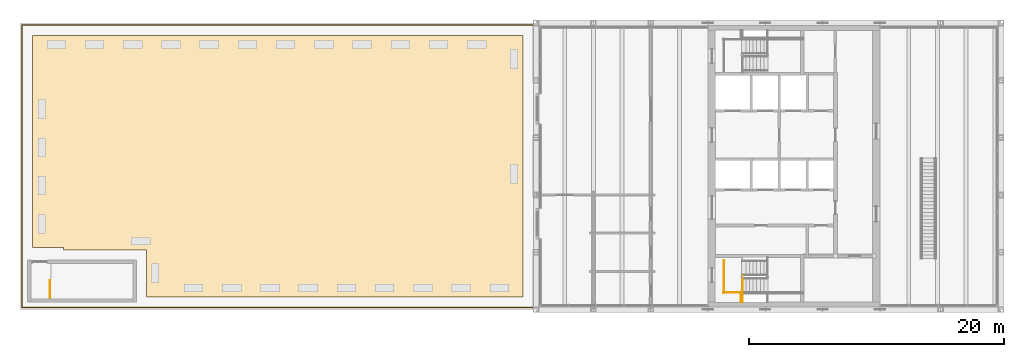
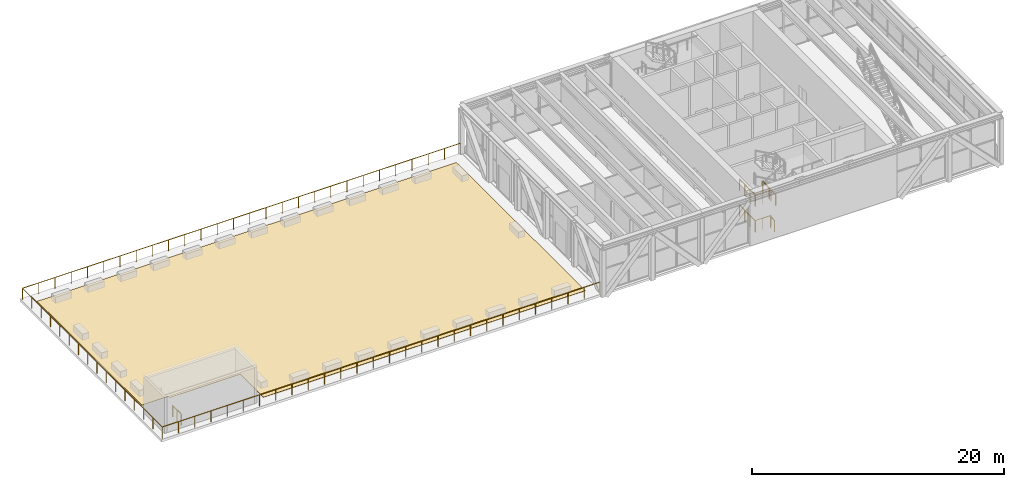
# One storey, part 10 of 13: 8 railings, 1 covering.
"""IFC4 building model written with IfcOpenShell, lengths in metres."""

from ifc_helpers import new_model, si_unit, direction, frame, origin, origin_2d, place, context, subcontext, project, spatial, polyline, rectangle, outline, extrude, material, layer, layer_set, type_object, element, save


model = new_model("IFC4")

# Units and contexts
model_context = context("Model", 3, precision=1e-05, world=origin(), true_north=direction((0.0, 1.0)))
body_context = subcontext(model_context, "Body", "Model", "MODEL_VIEW")
ifc_project = project(units=[si_unit("LENGTHUNIT", "METRE"), si_unit("AREAUNIT", "SQUARE_METRE"), si_unit("VOLUMEUNIT", "CUBIC_METRE"), si_unit("PLANEANGLEUNIT", "RADIAN"), si_unit("MASSUNIT", "GRAM", prefix="KILO")], contexts=[model_context])

# Site, building, storey
site_placement = place(None, origin())
site = spatial("IfcSite", under=ifc_project, at=site_placement, CompositionType="ELEMENT")
building_placement = place(site_placement, origin())
building = spatial("IfcBuilding", under=site, at=building_placement, Name="Sennacour Bend Tower", CompositionType="ELEMENT")
storey_placement = place(building_placement, frame((0.0, 0.0, 345.5)))
storey = spatial("IfcBuildingStorey", under=building, at=storey_placement, Name="L79", CompositionType="ELEMENT", Elevation=345.5)

# Covering
ifc_material_1 = material(Name="Limestone paving", Category="masonry")
ifc_layer = layer(ifc_material_1, 0.030029296875, Name="Limestone paving", Category="masonry")
ifc_layer_set = layer_set([ifc_layer], Name="Limestone paving")
covering_type = type_object("IfcCoveringType", Name="COV-PAVING-30", PredefinedType="FLOORING", material=ifc_layer_set)
covering_placement = place(storey_placement, origin())
element("IfcCovering", 1, at=covering_placement, inside=storey, type_object=covering_type, Name="Paving Exec Roof", PredefinedType="FLOORING", context=body_context, shape_type="SweptSolid", body=[
    extrude(outline(polyline([(1.0, 4.875), (1.0, 21.5), (39.469970703125, 21.5), (39.469970703125, 1.0), (9.925048828125, 1.0), (9.925048828125, 4.675048828125), (3.429931640625, 4.675048828125), (3.429931640625, 4.875), (1.0, 4.875)])), origin(), (0.0, 0.0, 1.0), 0.030029296875),
])

# Railings
ifc_material_2 = material(Name="Stainless steel 316", Category="steel")
railing_type_1 = type_object("IfcRailingType", Name="GUARD 1100", PredefinedType="GUARDRAIL", material=ifc_material_2)
railing_1_placement = place(storey_placement, frame((40.35009765625, 0.14990234375, 0.0)))
element("IfcRailing", 2, at=railing_1_placement, inside=storey, type_object=railing_type_1, Name="Guard Exec Roof", PredefinedType="GUARDRAIL", context=body_context, shape_type="SweptSolid", body=[
    extrude(rectangle(XDim=0.048095703125, YDim=0.048095703125, at=origin_2d()), frame((0.0, 0.0, 1.076171875), z_axis=(-1.0, 0.0, 0.0), x_axis=(0.0, -1.0, 0.0)), (0.0, 0.0, 1.0), 40.2001953125),
    extrude(rectangle(XDim=0.048095703125, YDim=0.048095703125, at=origin_2d()), frame((-40.2001953125, 0.0, 1.076171875), z_axis=(0.0, 1.0, 0.0), x_axis=(-1.0, 0.0, 0.0)), (0.0, 0.0, 1.0), 22.2001953125),
    extrude(rectangle(XDim=0.048095703125, YDim=0.048095703125, at=origin_2d()), frame((-40.2001953125, 22.2001953125, 1.076171875), z_axis=(1.0, 0.0, 0.0), x_axis=(0.0, 1.0, 0.0)), (0.0, 0.0, 1.0), 40.2001953125),
    extrude(rectangle(XDim=0.0419921875, YDim=0.0419921875, at=origin_2d()), origin(), (0.0, 0.0, 1.0), 1.052001953125),
    extrude(rectangle(XDim=0.0419921875, YDim=0.0419921875, at=origin_2d()), frame((-1.489013671875, 0.0, 0.0)), (0.0, 0.0, 1.0), 1.052001953125),
    extrude(rectangle(XDim=0.0419921875, YDim=0.0419921875, at=origin_2d()), frame((-2.977783203125, 0.0, 0.0)), (0.0, 0.0, 1.0), 1.052001953125),
    extrude(rectangle(XDim=0.0419921875, YDim=0.0419921875, at=origin_2d()), frame((-4.466796875, 0.0, 0.0)), (0.0, 0.0, 1.0), 1.052001953125),
    extrude(rectangle(XDim=0.0419921875, YDim=0.0419921875, at=origin_2d()), frame((-5.95556640625, 0.0, 0.0)), (0.0, 0.0, 1.0), 1.052001953125),
    extrude(rectangle(XDim=0.0419921875, YDim=0.0419921875, at=origin_2d()), frame((-7.444580078125, 0.0, 0.0)), (0.0, 0.0, 1.0), 1.052001953125),
    extrude(rectangle(XDim=0.0419921875, YDim=0.0419921875, at=origin_2d()), frame((-8.933349609375, 0.0, 0.0)), (0.0, 0.0, 1.0), 1.052001953125),
    extrude(rectangle(XDim=0.0419921875, YDim=0.0419921875, at=origin_2d()), frame((-10.42236328125, 0.0, 0.0)), (0.0, 0.0, 1.0), 1.052001953125),
    extrude(rectangle(XDim=0.0419921875, YDim=0.0419921875, at=origin_2d()), frame((-11.9111328125, 0.0, 0.0)), (0.0, 0.0, 1.0), 1.052001953125),
    extrude(rectangle(XDim=0.0419921875, YDim=0.0419921875, at=origin_2d()), frame((-13.400146484375, 0.0, 0.0)), (0.0, 0.0, 1.0), 1.052001953125),
    extrude(rectangle(XDim=0.0419921875, YDim=0.0419921875, at=origin_2d()), frame((-14.888916015625, 0.0, 0.0)), (0.0, 0.0, 1.0), 1.052001953125),
    extrude(rectangle(XDim=0.0419921875, YDim=0.0419921875, at=origin_2d()), frame((-16.3779296875, 0.0, 0.0)), (0.0, 0.0, 1.0), 1.052001953125),
    extrude(rectangle(XDim=0.0419921875, YDim=0.0419921875, at=origin_2d()), frame((-17.86669921875, 0.0, 0.0)), (0.0, 0.0, 1.0), 1.052001953125),
    extrude(rectangle(XDim=0.0419921875, YDim=0.0419921875, at=origin_2d()), frame((-19.355712890625, 0.0, 0.0)), (0.0, 0.0, 1.0), 1.052001953125),
    extrude(rectangle(XDim=0.0419921875, YDim=0.0419921875, at=origin_2d()), frame((-20.844482421875, 0.0, 0.0)), (0.0, 0.0, 1.0), 1.052001953125),
    extrude(rectangle(XDim=0.0419921875, YDim=0.0419921875, at=origin_2d()), frame((-22.33349609375, 0.0, 0.0)), (0.0, 0.0, 1.0), 1.052001953125),
    extrude(rectangle(XDim=0.0419921875, YDim=0.0419921875, at=origin_2d()), frame((-23.822265625, 0.0, 0.0)), (0.0, 0.0, 1.0), 1.052001953125),
    extrude(rectangle(XDim=0.0419921875, YDim=0.0419921875, at=origin_2d()), frame((-25.311279296875, 0.0, 0.0)), (0.0, 0.0, 1.0), 1.052001953125),
    extrude(rectangle(XDim=0.0419921875, YDim=0.0419921875, at=origin_2d()), frame((-26.800048828125, 0.0, 0.0)), (0.0, 0.0, 1.0), 1.052001953125),
    extrude(rectangle(XDim=0.0419921875, YDim=0.0419921875, at=origin_2d()), frame((-28.2890625, 0.0, 0.0)), (0.0, 0.0, 1.0), 1.052001953125),
    extrude(rectangle(XDim=0.0419921875, YDim=0.0419921875, at=origin_2d()), frame((-29.77783203125, 0.0, 0.0)), (0.0, 0.0, 1.0), 1.052001953125),
    extrude(rectangle(XDim=0.0419921875, YDim=0.0419921875, at=origin_2d()), frame((-31.266845703125, 0.0, 0.0)), (0.0, 0.0, 1.0), 1.052001953125),
    extrude(rectangle(XDim=0.0419921875, YDim=0.0419921875, at=origin_2d()), frame((-32.755615234375, 0.0, 0.0)), (0.0, 0.0, 1.0), 1.052001953125),
    extrude(rectangle(XDim=0.0419921875, YDim=0.0419921875, at=origin_2d()), frame((-34.24462890625, 0.0, 0.0)), (0.0, 0.0, 1.0), 1.052001953125),
    extrude(rectangle(XDim=0.0419921875, YDim=0.0419921875, at=origin_2d()), frame((-35.7333984375, 0.0, 0.0)), (0.0, 0.0, 1.0), 1.052001953125),
    extrude(rectangle(XDim=0.0419921875, YDim=0.0419921875, at=origin_2d()), frame((-37.222412109375, 0.0, 0.0)), (0.0, 0.0, 1.0), 1.052001953125),
    extrude(rectangle(XDim=0.0419921875, YDim=0.0419921875, at=origin_2d()), frame((-38.711181640625, 0.0, 0.0)), (0.0, 0.0, 1.0), 1.052001953125),
    extrude(rectangle(XDim=0.0419921875, YDim=0.0419921875, at=origin_2d()), frame((-40.2001953125, 0.0, 0.0)), (0.0, 0.0, 1.0), 1.052001953125),
    extrude(rectangle(XDim=0.0419921875, YDim=0.0419921875, at=origin_2d()), frame((-40.2001953125, 1.47998046875, 0.0)), (0.0, 0.0, 1.0), 1.052001953125),
    extrude(rectangle(XDim=0.0419921875, YDim=0.0419921875, at=origin_2d()), frame((-40.2001953125, 2.9599609375, 0.0)), (0.0, 0.0, 1.0), 1.052001953125),
    extrude(rectangle(XDim=0.0419921875, YDim=0.0419921875, at=origin_2d()), frame((-40.2001953125, 4.43994140625, 0.0)), (0.0, 0.0, 1.0), 1.052001953125),
    extrude(rectangle(XDim=0.0419921875, YDim=0.0419921875, at=origin_2d()), frame((-40.2001953125, 5.920166015625, 0.0)), (0.0, 0.0, 1.0), 1.052001953125),
    extrude(rectangle(XDim=0.0419921875, YDim=0.0419921875, at=origin_2d()), frame((-40.2001953125, 7.400146484375, 0.0)), (0.0, 0.0, 1.0), 1.052001953125),
    extrude(rectangle(XDim=0.0419921875, YDim=0.0419921875, at=origin_2d()), frame((-40.2001953125, 8.880126953125, 0.0)), (0.0, 0.0, 1.0), 1.052001953125),
    extrude(rectangle(XDim=0.0419921875, YDim=0.0419921875, at=origin_2d()), frame((-40.2001953125, 10.360107421875, 0.0)), (0.0, 0.0, 1.0), 1.052001953125),
    extrude(rectangle(XDim=0.0419921875, YDim=0.0419921875, at=origin_2d()), frame((-40.2001953125, 11.840087890625, 0.0)), (0.0, 0.0, 1.0), 1.052001953125),
    extrude(rectangle(XDim=0.0419921875, YDim=0.0419921875, at=origin_2d()), frame((-40.2001953125, 13.320068359375, 0.0)), (0.0, 0.0, 1.0), 1.052001953125),
    extrude(rectangle(XDim=0.0419921875, YDim=0.0419921875, at=origin_2d()), frame((-40.2001953125, 14.800048828125, 0.0)), (0.0, 0.0, 1.0), 1.052001953125),
    extrude(rectangle(XDim=0.0419921875, YDim=0.0419921875, at=origin_2d()), frame((-40.2001953125, 16.280029296875, 0.0)), (0.0, 0.0, 1.0), 1.052001953125),
    extrude(rectangle(XDim=0.0419921875, YDim=0.0419921875, at=origin_2d()), frame((-40.2001953125, 17.76025390625, 0.0)), (0.0, 0.0, 1.0), 1.052001953125),
    extrude(rectangle(XDim=0.0419921875, YDim=0.0419921875, at=origin_2d()), frame((-40.2001953125, 19.240234375, 0.0)), (0.0, 0.0, 1.0), 1.052001953125),
    extrude(rectangle(XDim=0.0419921875, YDim=0.0419921875, at=origin_2d()), frame((-40.2001953125, 20.72021484375, 0.0)), (0.0, 0.0, 1.0), 1.052001953125),
    extrude(rectangle(XDim=0.0419921875, YDim=0.0419921875, at=origin_2d()), frame((-40.2001953125, 22.2001953125, 0.0)), (0.0, 0.0, 1.0), 1.052001953125),
    extrude(rectangle(XDim=0.0419921875, YDim=0.0419921875, at=origin_2d()), frame((-38.711181640625, 22.2001953125, 0.0)), (0.0, 0.0, 1.0), 1.052001953125),
    extrude(rectangle(XDim=0.0419921875, YDim=0.0419921875, at=origin_2d()), frame((-37.222412109375, 22.2001953125, 0.0)), (0.0, 0.0, 1.0), 1.052001953125),
    extrude(rectangle(XDim=0.0419921875, YDim=0.0419921875, at=origin_2d()), frame((-35.7333984375, 22.2001953125, 0.0)), (0.0, 0.0, 1.0), 1.052001953125),
    extrude(rectangle(XDim=0.0419921875, YDim=0.0419921875, at=origin_2d()), frame((-34.24462890625, 22.2001953125, 0.0)), (0.0, 0.0, 1.0), 1.052001953125),
    extrude(rectangle(XDim=0.0419921875, YDim=0.0419921875, at=origin_2d()), frame((-32.755615234375, 22.2001953125, 0.0)), (0.0, 0.0, 1.0), 1.052001953125),
    extrude(rectangle(XDim=0.0419921875, YDim=0.0419921875, at=origin_2d()), frame((-31.266845703125, 22.2001953125, 0.0)), (0.0, 0.0, 1.0), 1.052001953125),
    extrude(rectangle(XDim=0.0419921875, YDim=0.0419921875, at=origin_2d()), frame((-29.77783203125, 22.2001953125, 0.0)), (0.0, 0.0, 1.0), 1.052001953125),
    extrude(rectangle(XDim=0.0419921875, YDim=0.0419921875, at=origin_2d()), frame((-28.2890625, 22.2001953125, 0.0)), (0.0, 0.0, 1.0), 1.052001953125),
    extrude(rectangle(XDim=0.0419921875, YDim=0.0419921875, at=origin_2d()), frame((-26.800048828125, 22.2001953125, 0.0)), (0.0, 0.0, 1.0), 1.052001953125),
    extrude(rectangle(XDim=0.0419921875, YDim=0.0419921875, at=origin_2d()), frame((-25.311279296875, 22.2001953125, 0.0)), (0.0, 0.0, 1.0), 1.052001953125),
    extrude(rectangle(XDim=0.0419921875, YDim=0.0419921875, at=origin_2d()), frame((-23.822265625, 22.2001953125, 0.0)), (0.0, 0.0, 1.0), 1.052001953125),
    extrude(rectangle(XDim=0.0419921875, YDim=0.0419921875, at=origin_2d()), frame((-22.33349609375, 22.2001953125, 0.0)), (0.0, 0.0, 1.0), 1.052001953125),
    extrude(rectangle(XDim=0.0419921875, YDim=0.0419921875, at=origin_2d()), frame((-20.844482421875, 22.2001953125, 0.0)), (0.0, 0.0, 1.0), 1.052001953125),
    extrude(rectangle(XDim=0.0419921875, YDim=0.0419921875, at=origin_2d()), frame((-19.355712890625, 22.2001953125, 0.0)), (0.0, 0.0, 1.0), 1.052001953125),
    extrude(rectangle(XDim=0.0419921875, YDim=0.0419921875, at=origin_2d()), frame((-17.86669921875, 22.2001953125, 0.0)), (0.0, 0.0, 1.0), 1.052001953125),
    extrude(rectangle(XDim=0.0419921875, YDim=0.0419921875, at=origin_2d()), frame((-16.3779296875, 22.2001953125, 0.0)), (0.0, 0.0, 1.0), 1.052001953125),
    extrude(rectangle(XDim=0.0419921875, YDim=0.0419921875, at=origin_2d()), frame((-14.888916015625, 22.2001953125, 0.0)), (0.0, 0.0, 1.0), 1.052001953125),
    extrude(rectangle(XDim=0.0419921875, YDim=0.0419921875, at=origin_2d()), frame((-13.400146484375, 22.2001953125, 0.0)), (0.0, 0.0, 1.0), 1.052001953125),
    extrude(rectangle(XDim=0.0419921875, YDim=0.0419921875, at=origin_2d()), frame((-11.9111328125, 22.2001953125, 0.0)), (0.0, 0.0, 1.0), 1.052001953125),
    extrude(rectangle(XDim=0.0419921875, YDim=0.0419921875, at=origin_2d()), frame((-10.42236328125, 22.2001953125, 0.0)), (0.0, 0.0, 1.0), 1.052001953125),
    extrude(rectangle(XDim=0.0419921875, YDim=0.0419921875, at=origin_2d()), frame((-8.933349609375, 22.2001953125, 0.0)), (0.0, 0.0, 1.0), 1.052001953125),
    extrude(rectangle(XDim=0.0419921875, YDim=0.0419921875, at=origin_2d()), frame((-7.444580078125, 22.2001953125, 0.0)), (0.0, 0.0, 1.0), 1.052001953125),
    extrude(rectangle(XDim=0.0419921875, YDim=0.0419921875, at=origin_2d()), frame((-5.95556640625, 22.2001953125, 0.0)), (0.0, 0.0, 1.0), 1.052001953125),
    extrude(rectangle(XDim=0.0419921875, YDim=0.0419921875, at=origin_2d()), frame((-4.466796875, 22.2001953125, 0.0)), (0.0, 0.0, 1.0), 1.052001953125),
    extrude(rectangle(XDim=0.0419921875, YDim=0.0419921875, at=origin_2d()), frame((-2.977783203125, 22.2001953125, 0.0)), (0.0, 0.0, 1.0), 1.052001953125),
    extrude(rectangle(XDim=0.0419921875, YDim=0.0419921875, at=origin_2d()), frame((-1.489013671875, 22.2001953125, 0.0)), (0.0, 0.0, 1.0), 1.052001953125),
    extrude(rectangle(XDim=0.0419921875, YDim=0.0419921875, at=origin_2d()), frame((0.0, 22.2001953125, 0.0)), (0.0, 0.0, 1.0), 1.052001953125),
])
ifc_material_3 = material(Name="Stainless steel", Category="steel")
railing_type_2 = type_object("IfcRailingType", Name="RL-GUARD-1100", PredefinedType="GUARDRAIL", material=ifc_material_3)
railing_2_placement = place(storey_placement, frame((55.199951171875, 1.35009765625, 2.5)))
element("IfcRailing", 3, at=railing_2_placement, inside=storey, type_object=railing_type_2, Name="L79 SA1 stair guard 6", PredefinedType="GUARDRAIL", context=body_context, shape_type="SweptSolid", body=[
    extrude(rectangle(XDim=0.048095703125, YDim=0.048095703125, at=origin_2d()), frame((0.0, 0.0, 1.076171875), z_axis=(1.0, 0.0, 0.0), x_axis=(0.0, 1.0, 0.0)), (0.0, 0.0, 1.0), 1.5),
    extrude(rectangle(XDim=0.0419921875, YDim=0.0419921875, at=origin_2d()), origin(), (0.0, 0.0, 1.0), 1.052001953125),
    extrude(rectangle(XDim=0.0419921875, YDim=0.0419921875, at=origin_2d()), frame((0.75, 0.0, 0.0)), (0.0, 0.0, 1.0), 1.052001953125),
    extrude(rectangle(XDim=0.0419921875, YDim=0.0419921875, at=origin_2d()), frame((1.5, 0.0, 0.0)), (0.0, 0.0, 1.0), 1.052001953125),
])
railing_3_placement = place(storey_placement, frame((55.25, 1.300048828125, 2.5)))
element("IfcRailing", 4, at=railing_3_placement, inside=storey, type_object=railing_type_2, Name="L79 SA1 stair guard 7", PredefinedType="GUARDRAIL", context=body_context, shape_type="SweptSolid", body=[
    extrude(rectangle(XDim=0.048095703125, YDim=0.048095703125, at=origin_2d()), frame((0.0, 0.0, 1.076171875), z_axis=(0.0, 1.0, 0.0), x_axis=(-1.0, 0.0, 0.0)), (0.0, 0.0, 1.0), 2.550048828125),
    extrude(rectangle(XDim=0.0419921875, YDim=0.0419921875, at=origin_2d()), origin(), (0.0, 0.0, 1.0), 1.052001953125),
    extrude(rectangle(XDim=0.0419921875, YDim=0.0419921875, at=origin_2d()), frame((0.0, 0.85009765625, 0.0)), (0.0, 0.0, 1.0), 1.052001953125),
    extrude(rectangle(XDim=0.0419921875, YDim=0.0419921875, at=origin_2d()), frame((0.0, 1.699951171875, 0.0)), (0.0, 0.0, 1.0), 1.052001953125),
    extrude(rectangle(XDim=0.0419921875, YDim=0.0419921875, at=origin_2d()), frame((0.0, 2.550048828125, 0.0)), (0.0, 0.0, 1.0), 1.052001953125),
])
railing_4_placement = place(storey_placement, frame((55.199951171875, 1.35009765625, 0.0)))
element("IfcRailing", 5, at=railing_4_placement, inside=storey, type_object=railing_type_2, Name="L79 SA1 stair guard 13", PredefinedType="GUARDRAIL", context=body_context, shape_type="SweptSolid", body=[
    extrude(rectangle(XDim=0.048095703125, YDim=0.048095703125, at=origin_2d()), frame((0.0, 0.0, 1.076171875), z_axis=(1.0, 0.0, 0.0), x_axis=(0.0, 1.0, 0.0)), (0.0, 0.0, 1.0), 1.5),
    extrude(rectangle(XDim=0.0419921875, YDim=0.0419921875, at=origin_2d()), origin(), (0.0, 0.0, 1.0), 1.052001953125),
    extrude(rectangle(XDim=0.0419921875, YDim=0.0419921875, at=origin_2d()), frame((0.75, 0.0, 0.0)), (0.0, 0.0, 1.0), 1.052001953125),
    extrude(rectangle(XDim=0.0419921875, YDim=0.0419921875, at=origin_2d()), frame((1.5, 0.0, 0.0)), (0.0, 0.0, 1.0), 1.052001953125),
])
railing_5_placement = place(storey_placement, frame((55.25, 1.300048828125, 0.0)))
element("IfcRailing", 6, at=railing_5_placement, inside=storey, type_object=railing_type_2, Name="L79 SA1 stair guard 14", PredefinedType="GUARDRAIL", context=body_context, shape_type="SweptSolid", body=[
    extrude(rectangle(XDim=0.048095703125, YDim=0.048095703125, at=origin_2d()), frame((0.0, 0.0, 1.076171875), z_axis=(0.0, 1.0, 0.0), x_axis=(-1.0, 0.0, 0.0)), (0.0, 0.0, 1.0), 2.550048828125),
    extrude(rectangle(XDim=0.0419921875, YDim=0.0419921875, at=origin_2d()), origin(), (0.0, 0.0, 1.0), 1.052001953125),
    extrude(rectangle(XDim=0.0419921875, YDim=0.0419921875, at=origin_2d()), frame((0.0, 0.85009765625, 0.0)), (0.0, 0.0, 1.0), 1.052001953125),
    extrude(rectangle(XDim=0.0419921875, YDim=0.0419921875, at=origin_2d()), frame((0.0, 1.699951171875, 0.0)), (0.0, 0.0, 1.0), 1.052001953125),
    extrude(rectangle(XDim=0.0419921875, YDim=0.0419921875, at=origin_2d()), frame((0.0, 2.550048828125, 0.0)), (0.0, 0.0, 1.0), 1.052001953125),
])
railing_6_placement = place(storey_placement, frame((56.699951171875, 2.64990234375, 2.5)))
element("IfcRailing", 7, at=railing_6_placement, inside=storey, type_object=railing_type_2, Name="L79 SA1 landing edge guard 134", PredefinedType="GUARDRAIL", context=body_context, shape_type="SweptSolid", body=[
    extrude(rectangle(XDim=0.048095703125, YDim=0.048095703125, at=origin_2d()), frame((0.0, 0.0, 1.076171875), z_axis=(0.0, -1.0, 0.0), x_axis=(1.0, 0.0, 0.0)), (0.0, 0.0, 1.0), 2.0498046875),
    extrude(rectangle(XDim=0.0419921875, YDim=0.0419921875, at=origin_2d()), origin(), (0.0, 0.0, 1.0), 1.052001953125),
    extrude(rectangle(XDim=0.0419921875, YDim=0.0419921875, at=origin_2d()), frame((0.0, -1.02490234375, 0.0)), (0.0, 0.0, 1.0), 1.052001953125),
    extrude(rectangle(XDim=0.0419921875, YDim=0.0419921875, at=origin_2d()), frame((0.0, -2.0498046875, 0.0)), (0.0, 0.0, 1.0), 1.052001953125),
])
railing_7_placement = place(storey_placement, frame((56.60009765625, 1.25, 0.0)))
element("IfcRailing", 8, at=railing_7_placement, inside=storey, type_object=railing_type_2, Name="L79 SA1 landing edge guard 166", PredefinedType="GUARDRAIL", context=body_context, shape_type="SweptSolid", body=[
    extrude(rectangle(XDim=0.048095703125, YDim=0.048095703125, at=origin_2d()), frame((0.0, 0.0, 1.076171875), z_axis=(0.0, -1.0, 0.0), x_axis=(1.0, 0.0, 0.0)), (0.0, 0.0, 1.0), 0.64990234375),
    extrude(rectangle(XDim=0.0419921875, YDim=0.0419921875, at=origin_2d()), origin(), (0.0, 0.0, 1.0), 1.052001953125),
    extrude(rectangle(XDim=0.0419921875, YDim=0.0419921875, at=origin_2d()), frame((0.0, -0.64990234375, 0.0)), (0.0, 0.0, 1.0), 1.052001953125),
])
railing_8_placement = place(storey_placement, frame((2.35009765625, 0.949951171875, 0.0)))
element("IfcRailing", 9, at=railing_8_placement, inside=storey, type_object=railing_type_2, Name="L79 SK1 top well guard 1", PredefinedType="GUARDRAIL", context=body_context, shape_type="SweptSolid", body=[
    extrude(rectangle(XDim=0.048095703125, YDim=0.048095703125, at=origin_2d()), frame((0.0, 0.0, 1.076171875), z_axis=(0.0, 1.0, 0.0), x_axis=(-1.0, 0.0, 0.0)), (0.0, 0.0, 1.0), 1.35009765625),
    extrude(rectangle(XDim=0.0419921875, YDim=0.0419921875, at=origin_2d()), origin(), (0.0, 0.0, 1.0), 1.052001953125),
    extrude(rectangle(XDim=0.0419921875, YDim=0.0419921875, at=origin_2d()), frame((0.0, 0.675048828125, 0.0)), (0.0, 0.0, 1.0), 1.052001953125),
    extrude(rectangle(XDim=0.0419921875, YDim=0.0419921875, at=origin_2d()), frame((0.0, 1.35009765625, 0.0)), (0.0, 0.0, 1.0), 1.052001953125),
])

save(model, "model.ifc")
